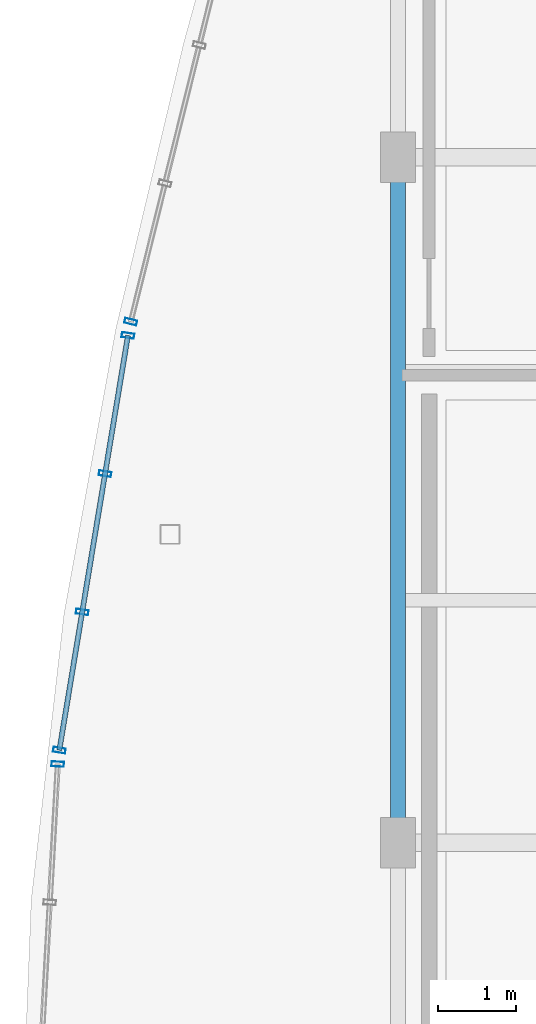
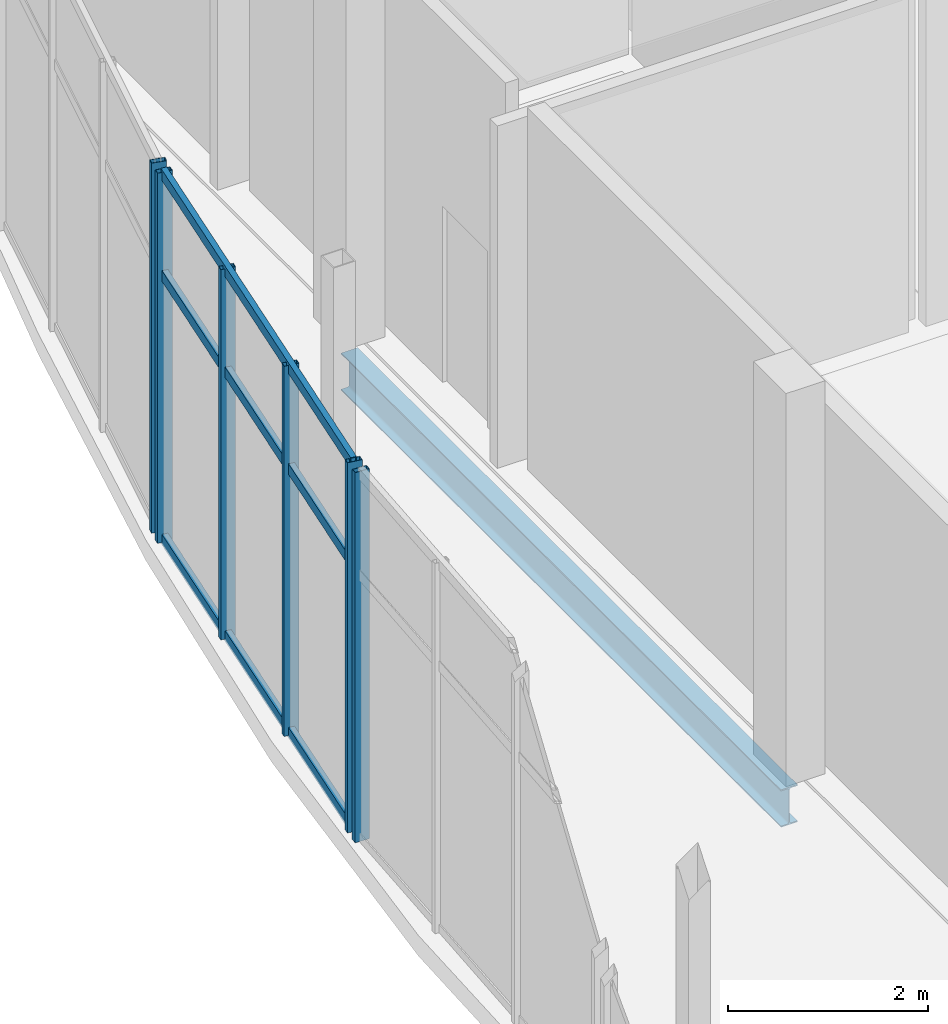
# One storey, part 33 of 157: 9 members, 1 beam, 3 elements without a shape of their own.
"""IFC4 building model written with IfcOpenShell, lengths in metres."""

from ifc_helpers import new_model, si_unit, direction, frame, origin, origin_2d, place, context, subcontext, project, spatial, hollow_rectangle, i_section, extrude, material, layer, layer_set, material_profile, profile_set, type_object, element, aggregate, save


model = new_model("IFC4")

# Units and contexts
model_context = context("Model", 3, precision=1e-05, world=origin(), true_north=direction((0.0, 1.0)))
body_context = subcontext(model_context, "Body", "Model", "MODEL_VIEW")
ifc_project = project(units=[si_unit("LENGTHUNIT", "METRE"), si_unit("AREAUNIT", "SQUARE_METRE"), si_unit("VOLUMEUNIT", "CUBIC_METRE"), si_unit("PLANEANGLEUNIT", "RADIAN"), si_unit("MASSUNIT", "GRAM", prefix="KILO")], contexts=[model_context])

# Site, building, storey
site_placement = place(None, origin())
site = spatial("IfcSite", under=ifc_project, at=site_placement, CompositionType="ELEMENT")
building_placement = place(site_placement, origin())
building = spatial("IfcBuilding", under=site, at=building_placement, Name="Chalmorin Arch Market", CompositionType="ELEMENT")
storey_placement = place(building_placement, frame((0.0, 0.0, 4.800048828125)))
storey = spatial("IfcBuildingStorey", under=building, at=storey_placement, Name="L01", CompositionType="ELEMENT", Elevation=4.800048828125)

# Curtain wall, member
ifc_material_1 = material(Name="Aluminium 6063-T6", Category="aluminium")
ifc_layer_1 = layer(ifc_material_1, 0.159912109375)
ifc_layer_set_1 = layer_set([ifc_layer_1], Name="Aluminium 6063-T6")
curtain_wall_type_1 = type_object("IfcCurtainWallType", Name="RiverfrontStorefrontCurtainWall-CW2-5330x4520", PredefinedType="NOTDEFINED", material=ifc_layer_set_1)
curtain_wall_1_placement = place(storey_placement, origin())
curtain_wall_1 = element("IfcCurtainWall", 1, at=curtain_wall_1_placement, inside=storey, type_object=curtain_wall_type_1, Name="CW-02-058", PredefinedType="NOTDEFINED")
ifc_material_profile_1 = material_profile(ifc_material_1, hollow_rectangle(XDim=0.06494140625, YDim=0.159912109375, WallThickness=0.00390625, at=origin_2d()), Name="ALU65X160X4")
ifc_profile_set_1 = profile_set([ifc_material_profile_1], Name="Aluminium 6063-T6")
member_type_1 = type_object("IfcMemberType", Name="CurtainWallMullion-65x160", PredefinedType="MULLION", material=ifc_profile_set_1)
member_1_placement = place(storey_placement, frame((-4.365234375, 33.41015625, 0.0), z_axis=(0.0, 0.0, 1.0), x_axis=(0.052335956243, 0.998629534755, 0.0)))
member_1 = element("IfcMember", 2, at=member_1_placement, type_object=member_type_1, Name="ML-058-04", PredefinedType="MULLION", context=body_context, shape_type="SweptSolid", body=[
    extrude(hollow_rectangle(XDim=0.06494140625, YDim=0.159912109375, WallThickness=0.00390625, at=origin_2d()), origin(), (0.0, 0.0, 1.0), 4.52001953125),
])
aggregate(curtain_wall_1, [member_1])

# Curtain wall, members
ifc_layer_2 = layer(ifc_material_1, 0.159912109375)
ifc_layer_set_2 = layer_set([ifc_layer_2], Name="Aluminium 6063-T6")
curtain_wall_type_2 = type_object("IfcCurtainWallType", Name="RiverfrontStorefrontCurtainWall-CW2-5390x4520", PredefinedType="NOTDEFINED", material=ifc_layer_set_2)
curtain_wall_2_placement = place(storey_placement, origin())
curtain_wall_2 = element("IfcCurtainWall", 3, at=curtain_wall_2_placement, inside=storey, type_object=curtain_wall_type_2, Name="CW-02-061", PredefinedType="NOTDEFINED")
member_2_placement = place(storey_placement, frame((-4.34521484375, 33.5888671875, 0.0), z_axis=(0.0, 0.0, 1.0), x_axis=(0.15643446504, 0.987688340595, 0.0)))
member_2 = element("IfcMember", 4, at=member_2_placement, type_object=member_type_1, Name="ML-061-01", PredefinedType="MULLION", context=body_context, shape_type="SweptSolid", body=[
    extrude(hollow_rectangle(XDim=0.06494140625, YDim=0.159912109375, WallThickness=0.00390625, at=origin_2d()), origin(), (0.0, 0.0, 1.0), 4.52001953125),
])
member_3_placement = place(storey_placement, frame((-4.0517578125, 35.36279296875, 0.0), z_axis=(0.0, 0.0, 1.0), x_axis=(0.15643446504, 0.987688340595, 0.0)))
member_3 = element("IfcMember", 5, at=member_3_placement, type_object=member_type_1, Name="ML-061-02", PredefinedType="MULLION", context=body_context, shape_type="SweptSolid", body=[
    extrude(hollow_rectangle(XDim=0.06494140625, YDim=0.159912109375, WallThickness=0.00390625, at=origin_2d()), origin(), (0.0, 0.0, 1.0), 4.52001953125),
])
member_4_placement = place(storey_placement, frame((-3.75830078125, 37.13720703125, 0.0), z_axis=(0.0, 0.0, 1.0), x_axis=(0.15643446504, 0.987688340595, 0.0)))
member_4 = element("IfcMember", 6, at=member_4_placement, type_object=member_type_1, Name="ML-061-03", PredefinedType="MULLION", context=body_context, shape_type="SweptSolid", body=[
    extrude(hollow_rectangle(XDim=0.06494140625, YDim=0.159912109375, WallThickness=0.00390625, at=origin_2d()), origin(), (0.0, 0.0, 1.0), 4.52001953125),
])
member_5_placement = place(storey_placement, frame((-3.464599609375, 38.9111328125, 0.0), z_axis=(0.0, 0.0, 1.0), x_axis=(0.15643446504, 0.987688340595, 0.0)))
member_5 = element("IfcMember", 7, at=member_5_placement, type_object=member_type_1, Name="ML-061-04", PredefinedType="MULLION", context=body_context, shape_type="SweptSolid", body=[
    extrude(hollow_rectangle(XDim=0.06494140625, YDim=0.159912109375, WallThickness=0.00390625, at=origin_2d()), origin(), (0.0, 0.0, 1.0), 4.52001953125),
])

# Curtain wall, member
ifc_layer_3 = layer(ifc_material_1, 0.159912109375)
ifc_layer_set_3 = layer_set([ifc_layer_3], Name="Aluminium 6063-T6")
curtain_wall_type_3 = type_object("IfcCurtainWallType", Name="RiverfrontStorefrontCurtainWall-CW2-5490x4520", PredefinedType="NOTDEFINED", material=ifc_layer_set_3)
curtain_wall_3_placement = place(storey_placement, origin())
curtain_wall_3 = element("IfcCurtainWall", 8, at=curtain_wall_3_placement, inside=storey, type_object=curtain_wall_type_3, Name="CW-02-064", PredefinedType="NOTDEFINED")
member_6_placement = place(storey_placement, frame((-3.428466796875, 39.08740234375, 0.0), z_axis=(0.0, 0.0, 1.0), x_axis=(0.2419218956, 0.970295726276, 0.0)))
member_6 = element("IfcMember", 9, at=member_6_placement, type_object=member_type_1, Name="ML-064-01", PredefinedType="MULLION", context=body_context, shape_type="SweptSolid", body=[
    extrude(hollow_rectangle(XDim=0.06494140625, YDim=0.159912109375, WallThickness=0.00390625, at=origin_2d()), origin(), (0.0, 0.0, 1.0), 4.52001953125),
])
aggregate(curtain_wall_3, [member_6])

# Member
ifc_material_profile_2 = material_profile(ifc_material_1, hollow_rectangle(XDim=0.06494140625, YDim=0.1298828125, WallThickness=0.00390625, at=origin_2d()), Name="ALU65X130X4")
ifc_profile_set_2 = profile_set([ifc_material_profile_2], Name="Aluminium 6063-T6")
member_type_2 = type_object("IfcMemberType", Name="CurtainWallTransom-65x130", PredefinedType="USERDEFINED", material=ifc_profile_set_2)
member_7_placement = place(storey_placement, frame((-4.34521484375, 33.5888671875, 0.034912109375), z_axis=(0.16323933491, 0.986586498761, 0.0), x_axis=(-0.986586498761, 0.16323933491, 0.0)))
member_7 = element("IfcMember", 10, at=member_7_placement, type_object=member_type_2, Name="TR-061-01", ObjectType="TRANSOM", PredefinedType="USERDEFINED", context=body_context, shape_type="SweptSolid", body=[
    extrude(hollow_rectangle(XDim=0.06494140625, YDim=0.1298828125, WallThickness=0.00390625, at=origin_2d()), origin(), (0.0, 0.0, 1.0), 5.39453125),
])

member_8_placement = place(storey_placement, frame((-4.34521484375, 33.5888671875, 3.25439453125), z_axis=(0.16323933491, 0.986586498761, 0.0), x_axis=(-0.986586498761, 0.16323933491, 0.0)))
member_8 = element("IfcMember", 11, at=member_8_placement, type_object=member_type_2, Name="TR-061-02", ObjectType="TRANSOM", PredefinedType="USERDEFINED", context=body_context, shape_type="SweptSolid", body=[
    extrude(hollow_rectangle(XDim=0.06494140625, YDim=0.1298828125, WallThickness=0.00390625, at=origin_2d()), origin(), (0.0, 0.0, 1.0), 5.39453125),
])

member_9_placement = place(storey_placement, frame((-4.34521484375, 33.5888671875, 4.48486328125), z_axis=(0.16323933491, 0.986586498761, 0.0), x_axis=(-0.986586498761, 0.16323933491, 0.0)))
member_9 = element("IfcMember", 12, at=member_9_placement, type_object=member_type_2, Name="TR-061-03", ObjectType="TRANSOM", PredefinedType="USERDEFINED", context=body_context, shape_type="SweptSolid", body=[
    extrude(hollow_rectangle(XDim=0.06494140625, YDim=0.1298828125, WallThickness=0.00390625, at=origin_2d()), origin(), (0.0, 0.0, 1.0), 5.39453125),
])

aggregate(curtain_wall_2, [member_2, member_3, member_4, member_5, member_7, member_8, member_9])

# Beam
ifc_material_2 = material(Name="Steel A992 Grade 50", Category="steel")
ifc_material_profile_3 = material_profile(ifc_material_2, i_section(OverallWidth=0.19091796875, OverallDepth=0.45703125, WebThickness=0.009033203125, FlangeThickness=0.014404296875, FilletRadius=0.02001953125, at=origin_2d()), Name="W18X50")
ifc_profile_set_3 = profile_set([ifc_material_profile_3], Name="Steel A992 Grade 50")
beam_type = type_object("IfcBeamType", Name="PerimeterSpandrelBeam-W18X50", PredefinedType="SPANDREL", material=ifc_profile_set_3)
beam_placement = place(storey_placement, frame((0.0, 32.39990234375, -0.510498046875), z_axis=(0.0, 1.0, 0.0), x_axis=(-1.0, 0.0, 0.0)))
element("IfcBeam", 13, at=beam_placement, inside=storey, type_object=beam_type, Name="SP-W18-0809", PredefinedType="SPANDREL", context=body_context, shape_type="SweptSolid", body=[
    extrude(i_section(OverallWidth=0.19091796875, OverallDepth=0.45703125, WebThickness=0.009033203125, FlangeThickness=0.014404296875, FilletRadius=0.02001953125, at=origin_2d()), origin(), (0.0, 0.0, 1.0), 8.800048828125),
])

save(model, "model.ifc")
